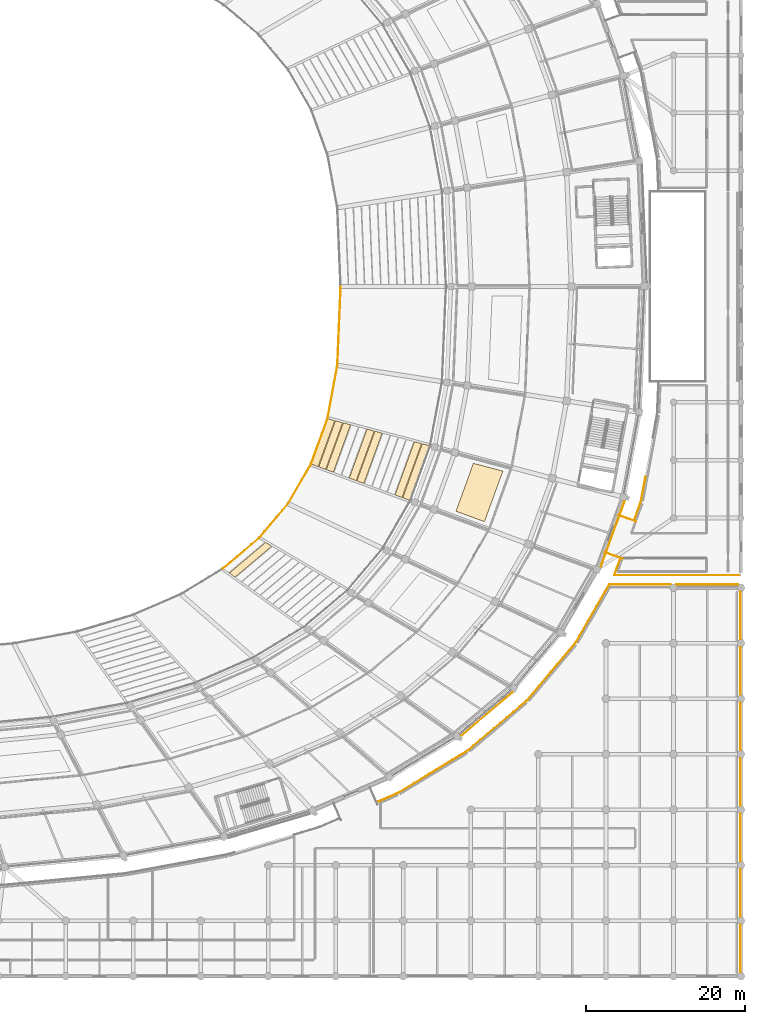
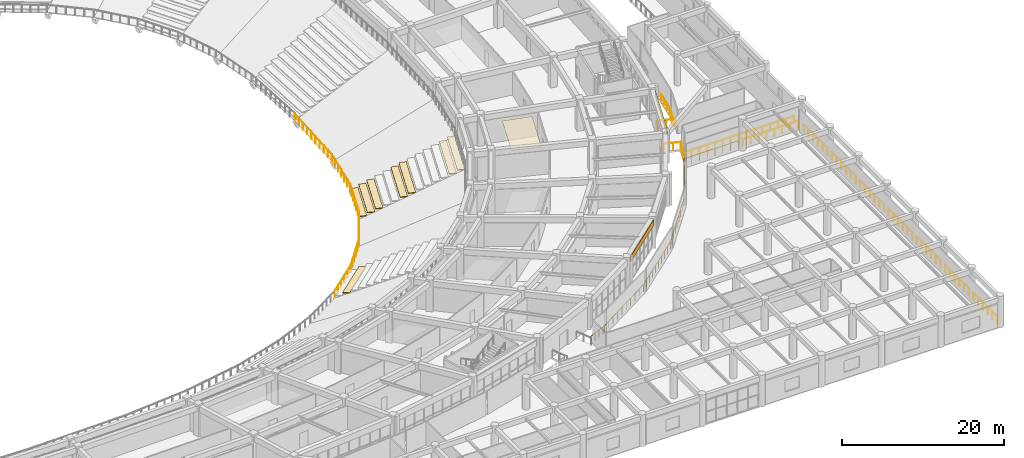
# One storey, part 136 of 152: 15 railings, 11 coverings.
"""IFC4 building model written with IfcOpenShell, lengths in metres."""

from ifc_helpers import new_model, si_unit, direction, frame, origin, origin_2d, place, context, subcontext, project, spatial, polyline, rectangle, circle, outline, extrude, material, layer, layer_set, type_object, element, save


model = new_model("IFC4")

# Units and contexts
model_context = context("Model", 3, precision=1e-05, world=origin(), true_north=direction((0.0, 1.0)))
body_context = subcontext(model_context, "Body", "Model", "MODEL_VIEW")
ifc_project = project(units=[si_unit("LENGTHUNIT", "METRE"), si_unit("AREAUNIT", "SQUARE_METRE"), si_unit("VOLUMEUNIT", "CUBIC_METRE"), si_unit("PLANEANGLEUNIT", "RADIAN"), si_unit("MASSUNIT", "GRAM", prefix="KILO")], contexts=[model_context])

# Site, building, storey
site_placement = place(None, origin())
site = spatial("IfcSite", under=ifc_project, at=site_placement, CompositionType="ELEMENT")
building_placement = place(site_placement, origin())
building = spatial("IfcBuilding", under=site, at=building_placement, Name="Mphavela Belvedere Stadium", CompositionType="ELEMENT")
storey_placement = place(building_placement, frame((0.0, 0.0, 5.39990234375)))
storey = spatial("IfcBuildingStorey", under=building, at=storey_placement, Name="L01", CompositionType="ELEMENT", Elevation=5.39990234375)

# Coverings
ifc_material_1 = material(Name="Perforated acoustic mineral ceiling tile")
ifc_layer_1 = layer(ifc_material_1, 0.0400390625)
ifc_layer_set_1 = layer_set([ifc_layer_1], Name="Perforated acoustic mineral ceiling tile")
covering_type_1 = type_object("IfcCoveringType", Name="COV-CEILING-ACOUSTIC", PredefinedType="CEILING", material=ifc_layer_set_1)
covering_1_placement = place(storey_placement, frame((0.0, 0.0, 3.5)))
element("IfcCovering", 1, at=covering_1_placement, inside=storey, type_object=covering_type_1, Name="Concourse acoustic ceiling L01-46", PredefinedType="CEILING", context=body_context, shape_type="SweptSolid", body=[
    extrude(outline(polyline([(194.041015625, 58.655029296875), (196.237060546875, 64.708251953125), (199.956298828125, 63.721923828125), (197.637451171875, 57.330078125), (194.041015625, 58.655029296875)])), origin(), (0.0, 0.0, 1.0), 0.0400390625),
])
ifc_material_2 = material(Name="Carved classical limestone entablature frieze cladding", Category="masonry")
ifc_layer_2 = layer(ifc_material_2, 0.06005859375)
ifc_layer_set_2 = layer_set([ifc_layer_2], Name="Carved classical limestone entablature frieze cladding")
covering_type_2 = type_object("IfcCoveringType", Name="COV-FRIEZE-CLAD", PredefinedType="CLADDING", material=ifc_layer_set_2)
covering_2_placement = place(storey_placement, frame((197.953369140625, 33.0712890625, 3.594970703125), z_axis=(0.0, 0.0, 1.0), x_axis=(0.764246456939, 0.644924300253, 0.0)))
element("IfcCovering", 2, at=covering_2_placement, inside=storey, type_object=covering_type_2, Name="Classical entablature frieze cladding L01-43", PredefinedType="CLADDING", context=body_context, shape_type="SweptSolid", body=[
    extrude(rectangle(XDim=8.4521484375, YDim=0.06005859375, at=origin_2d()), origin(), (0.0, 0.0, 1.0), 0.85009765625),
])
covering_3_placement = place(storey_placement, frame((213.811279296875, 55.7685546875, 3.594970703125), z_axis=(0.0, 0.0, 1.0), x_axis=(0.341035912161, 0.940050268133, 0.0)))
element("IfcCovering", 3, at=covering_3_placement, inside=storey, type_object=covering_type_2, Name="Classical entablature frieze cladding L01-46", PredefinedType="CLADDING", context=body_context, shape_type="SweptSolid", body=[
    extrude(rectangle(XDim=8.75537109375, YDim=0.06005859375, at=origin_2d()), origin(), (0.0, 0.0, 1.0), 0.85009765625),
])
ifc_material_3 = material(Name="Precast seating row terrazzo finish", Category="concrete")
ifc_layer_3 = layer(ifc_material_3, 0.1201171875)
ifc_layer_set_3 = layer_set([ifc_layer_3], Name="Precast seating row terrazzo finish")
covering_type_3 = type_object("IfcCoveringType", Name="COV-SEAT-ROW-L", PredefinedType="FLOORING", material=ifc_layer_set_3)
covering_4_placement = place(storey_placement, frame((0.0, 0.0, -3.296875)))
element("IfcCovering", 4, at=covering_4_placement, inside=storey, type_object=covering_type_3, Name="Lower stand seating row bench B43-R02", PredefinedType="FLOORING", context=body_context, shape_type="SweptSolid", body=[
    extrude(outline(polyline([(165.44580078125, 50.855712890625), (170.0234375, 54.718505859375), (170.81298828125, 54.255126953125), (166.169921875, 50.337158203125), (165.44580078125, 50.855712890625)])), origin(), (0.0, 0.0, 1.0), 0.1201171875),
])
covering_5_placement = place(storey_placement, frame((0.0, 0.0, -3.75830078125)))
element("IfcCovering", 5, at=covering_5_placement, inside=storey, type_object=covering_type_3, Name="Lower stand seating row bench B46-R01", PredefinedType="FLOORING", context=body_context, shape_type="SweptSolid", body=[
    extrude(outline(polyline([(175.763427734375, 64.614501953125), (177.839111328125, 70.335693359375), (178.75537109375, 70.0927734375), (176.6494140625, 64.2880859375), (175.763427734375, 64.614501953125)])), origin(), (0.0, 0.0, 1.0), 0.119873046875),
])
covering_6_placement = place(storey_placement, frame((0.0, 0.0, -3.296875)))
element("IfcCovering", 6, at=covering_6_placement, inside=storey, type_object=covering_type_3, Name="Lower stand seating row bench B46-R02", PredefinedType="FLOORING", context=body_context, shape_type="SweptSolid", body=[
    extrude(outline(polyline([(176.726318359375, 64.259765625), (178.8349609375, 70.07177734375), (179.751220703125, 69.828857421875), (177.6123046875, 63.933349609375), (176.726318359375, 64.259765625)])), origin(), (0.0, 0.0, 1.0), 0.1201171875),
])
covering_7_placement = place(storey_placement, frame((0.0, 0.0, -2.835205078125)))
element("IfcCovering", 7, at=covering_7_placement, inside=storey, type_object=covering_type_3, Name="Lower stand seating row bench B46-R03", PredefinedType="FLOORING", context=body_context, shape_type="SweptSolid", body=[
    extrude(outline(polyline([(177.689453125, 63.90478515625), (179.830810546875, 69.8076171875), (180.7470703125, 69.564697265625), (178.5751953125, 63.57861328125), (177.689453125, 63.90478515625)])), origin(), (0.0, 0.0, 1.0), 0.119873046875),
])
covering_8_placement = place(storey_placement, frame((0.0, 0.0, -1.45068359375)))
element("IfcCovering", 8, at=covering_8_placement, inside=storey, type_object=covering_type_3, Name="Lower stand seating row bench B46-R06", PredefinedType="FLOORING", context=body_context, shape_type="SweptSolid", body=[
    extrude(outline(polyline([(180.578125, 62.8408203125), (182.818359375, 69.015380859375), (183.734619140625, 68.7724609375), (181.464111328125, 62.514404296875), (180.578125, 62.8408203125)])), origin(), (0.0, 0.0, 1.0), 0.119873046875),
])
covering_9_placement = place(storey_placement, frame((0.0, 0.0, -0.989013671875)))
element("IfcCovering", 9, at=covering_9_placement, inside=storey, type_object=covering_type_3, Name="Lower stand seating row bench B46-R07", PredefinedType="FLOORING", context=body_context, shape_type="SweptSolid", body=[
    extrude(outline(polyline([(181.541015625, 62.48583984375), (183.814208984375, 68.751220703125), (184.730224609375, 68.50830078125), (182.427001953125, 62.159423828125), (181.541015625, 62.48583984375)])), origin(), (0.0, 0.0, 1.0), 0.119873046875),
])
covering_10_placement = place(storey_placement, frame((0.0, 0.0, 1.318603515625)))
element("IfcCovering", 10, at=covering_10_placement, inside=storey, type_object=covering_type_3, Name="Lower stand seating row bench B46-R12", PredefinedType="FLOORING", context=body_context, shape_type="SweptSolid", body=[
    extrude(outline(polyline([(186.355712890625, 60.712158203125), (188.793212890625, 67.430908203125), (189.70947265625, 67.18798828125), (187.24169921875, 60.3857421875), (186.355712890625, 60.712158203125)])), origin(), (0.0, 0.0, 1.0), 0.119873046875),
])
covering_11_placement = place(storey_placement, frame((0.0, 0.0, 1.780029296875)))
element("IfcCovering", 11, at=covering_11_placement, inside=storey, type_object=covering_type_3, Name="Lower stand seating row bench B46-R13", PredefinedType="FLOORING", context=body_context, shape_type="SweptSolid", body=[
    extrude(outline(polyline([(187.318603515625, 60.357421875), (189.7890625, 67.166748046875), (190.705322265625, 66.923828125), (188.20458984375, 60.031005859375), (187.318603515625, 60.357421875)])), origin(), (0.0, 0.0, 1.0), 0.1201171875),
])

# Railings
ifc_material_4 = material(Name="Bronze and laminated glass stadium balustrade", Category="glass")
railing_type = type_object("IfcRailingType", Name="RAL-BALUSTRADE-1120", PredefinedType="BALUSTRADE", material=ifc_material_4)
railing_1_placement = place(storey_placement, frame((212.845703125, 53.459228515625, 0.0)))
element("IfcRailing", 12, at=railing_1_placement, inside=storey, type_object=railing_type, Name="Colonnade link bridge balustrade L01-46A", PredefinedType="BALUSTRADE", context=body_context, shape_type="SweptSolid", body=[
    extrude(circle(Radius=0.02392578125, at=origin_2d()), frame((0.0, 0.0, 1.09619140625), z_axis=(0.940044916205, -0.341050664151, 0.0), x_axis=(0.341050664151, 0.940044916205, 0.0)), (0.0, 0.0, 1.0), 2.35009765625),
    extrude(circle(Radius=0.02099609375, at=origin_2d()), origin(), (0.0, 0.0, 1.0), 1.072021484375),
    extrude(circle(Radius=0.02099609375, at=origin_2d()), frame((1.1044921875, -0.40087890625, 0.0)), (0.0, 0.0, 1.0), 1.072021484375),
    extrude(circle(Radius=0.02099609375, at=origin_2d()), frame((2.209228515625, -0.801513671875, 0.0)), (0.0, 0.0, 1.0), 1.072021484375),
])
railing_2_placement = place(storey_placement, frame((214.55078125, 58.159423828125, 0.0)))
element("IfcRailing", 13, at=railing_2_placement, inside=storey, type_object=railing_type, Name="Colonnade link bridge balustrade L01-46B", PredefinedType="BALUSTRADE", context=body_context, shape_type="SweptSolid", body=[
    extrude(circle(Radius=0.02392578125, at=origin_2d()), frame((0.0, 0.0, 1.09619140625), z_axis=(0.940078218368, -0.340958858734, 0.0), x_axis=(0.340958858734, 0.940078218368, 0.0)), (0.0, 0.0, 1.0), 2.35009765625),
    extrude(circle(Radius=0.02099609375, at=origin_2d()), origin(), (0.0, 0.0, 1.0), 1.072021484375),
    extrude(circle(Radius=0.02099609375, at=origin_2d()), frame((1.1044921875, -0.400634765625, 0.0)), (0.0, 0.0, 1.0), 1.072021484375),
    extrude(circle(Radius=0.02099609375, at=origin_2d()), frame((2.209228515625, -0.80126953125, 0.0)), (0.0, 0.0, 1.0), 1.072021484375),
])
railing_3_placement = place(storey_placement, frame((164.658935546875, 51.419677734375, -4.099853515625)))
element("IfcRailing", 14, at=railing_3_placement, inside=storey, type_object=railing_type, Name="Bowl safety balustrade t1_front S8", PredefinedType="BALUSTRADE", context=body_context, shape_type="SweptSolid", body=[
    extrude(circle(Radius=0.02392578125, at=origin_2d()), frame((0.0, 0.0, 1.09619140625), z_axis=(0.764252578724, 0.644917045762, 0.0), x_axis=(-0.644917045762, 0.764252578724, 0.0)), (0.0, 0.0, 1.0), 5.89599609375),
    extrude(circle(Radius=0.02392578125, at=origin_2d()), frame((4.506103515625, 3.802490234375, 1.09619140625), z_axis=(0.645177508065, 0.764032710744, 0.0), x_axis=(-0.764032710744, 0.645177508065, 0.0)), (0.0, 0.0, 1.0), 5.7412109375),
    extrude(circle(Radius=0.02392578125, at=origin_2d()), frame((8.210205078125, 8.18896484375, 1.09619140625), z_axis=(0.500538549493, 0.86571424874, 0.0), x_axis=(-0.86571424874, 0.500538549493, 0.0)), (0.0, 0.0, 1.0), 5.7822265625),
    extrude(circle(Radius=0.02392578125, at=origin_2d()), frame((11.1044921875, 13.19482421875, 1.09619140625), z_axis=(0.341053704054, 0.940043813315, 0.0), x_axis=(-0.940043813315, 0.341053704054, 0.0)), (0.0, 0.0, 1.0), 6.086181640625),
    extrude(circle(Radius=0.02392578125, at=origin_2d()), frame((13.18017578125, 18.916015625, 1.09619140625), z_axis=(0.182635082941, 0.983180769991, 0.0), x_axis=(-0.983180769991, 0.182635082941, 0.0)), (0.0, 0.0, 1.0), 6.8388671875),
    extrude(circle(Radius=0.02392578125, at=origin_2d()), frame((14.42919921875, 25.639892578125, 1.09619140625), z_axis=(0.041887754326, 0.99912232286, 0.0), x_axis=(-0.99912232286, 0.041887754326, 0.0)), (0.0, 0.0, 1.0), 9.94921875),
    extrude(circle(Radius=0.02099609375, at=origin_2d()), origin(), (0.0, 0.0, 1.0), 1.072021484375),
    extrude(circle(Radius=0.02099609375, at=origin_2d()), frame((0.901123046875, 0.760498046875, 0.0)), (0.0, 0.0, 1.0), 1.072021484375),
    extrude(circle(Radius=0.02099609375, at=origin_2d()), frame((1.802490234375, 1.52099609375, 0.0)), (0.0, 0.0, 1.0), 1.072021484375),
    extrude(circle(Radius=0.02099609375, at=origin_2d()), frame((2.70361328125, 2.281494140625, 0.0)), (0.0, 0.0, 1.0), 1.072021484375),
    extrude(circle(Radius=0.02099609375, at=origin_2d()), frame((3.60498046875, 3.0419921875, 0.0)), (0.0, 0.0, 1.0), 1.072021484375),
    extrude(circle(Radius=0.02099609375, at=origin_2d()), frame((4.506103515625, 3.802490234375, 0.0)), (0.0, 0.0, 1.0), 1.072021484375),
    extrude(circle(Radius=0.02099609375, at=origin_2d()), frame((5.246826171875, 4.6796875, 0.0)), (0.0, 0.0, 1.0), 1.072021484375),
    extrude(circle(Radius=0.02099609375, at=origin_2d()), frame((5.98779296875, 5.55712890625, 0.0)), (0.0, 0.0, 1.0), 1.072021484375),
    extrude(circle(Radius=0.02099609375, at=origin_2d()), frame((6.728515625, 6.434326171875, 0.0)), (0.0, 0.0, 1.0), 1.072021484375),
    extrude(circle(Radius=0.02099609375, at=origin_2d()), frame((7.469482421875, 7.311767578125, 0.0)), (0.0, 0.0, 1.0), 1.072021484375),
    extrude(circle(Radius=0.02099609375, at=origin_2d()), frame((8.210205078125, 8.18896484375, 0.0)), (0.0, 0.0, 1.0), 1.072021484375),
    extrude(circle(Radius=0.02099609375, at=origin_2d()), frame((8.7890625, 9.190185546875, 0.0)), (0.0, 0.0, 1.0), 1.072021484375),
    extrude(circle(Radius=0.02099609375, at=origin_2d()), frame((9.367919921875, 10.19140625, 0.0)), (0.0, 0.0, 1.0), 1.072021484375),
    extrude(circle(Radius=0.02099609375, at=origin_2d()), frame((9.94677734375, 11.1923828125, 0.0)), (0.0, 0.0, 1.0), 1.072021484375),
    extrude(circle(Radius=0.02099609375, at=origin_2d()), frame((10.525634765625, 12.193603515625, 0.0)), (0.0, 0.0, 1.0), 1.072021484375),
    extrude(circle(Radius=0.02099609375, at=origin_2d()), frame((11.1044921875, 13.19482421875, 0.0)), (0.0, 0.0, 1.0), 1.072021484375),
    extrude(circle(Radius=0.02099609375, at=origin_2d()), frame((11.450439453125, 14.1484375, 0.0)), (0.0, 0.0, 1.0), 1.072021484375),
    extrude(circle(Radius=0.02099609375, at=origin_2d()), frame((11.79638671875, 15.101806640625, 0.0)), (0.0, 0.0, 1.0), 1.072021484375),
    extrude(circle(Radius=0.02099609375, at=origin_2d()), frame((12.142333984375, 16.055419921875, 0.0)), (0.0, 0.0, 1.0), 1.072021484375),
    extrude(circle(Radius=0.02099609375, at=origin_2d()), frame((12.48828125, 17.009033203125, 0.0)), (0.0, 0.0, 1.0), 1.072021484375),
    extrude(circle(Radius=0.02099609375, at=origin_2d()), frame((12.834228515625, 17.96240234375, 0.0)), (0.0, 0.0, 1.0), 1.072021484375),
    extrude(circle(Radius=0.02099609375, at=origin_2d()), frame((13.18017578125, 18.916015625, 0.0)), (0.0, 0.0, 1.0), 1.072021484375),
    extrude(circle(Radius=0.02099609375, at=origin_2d()), frame((13.388427734375, 20.03662109375, 0.0)), (0.0, 0.0, 1.0), 1.072021484375),
    extrude(circle(Radius=0.02099609375, at=origin_2d()), frame((13.596435546875, 21.1572265625, 0.0)), (0.0, 0.0, 1.0), 1.072021484375),
    extrude(circle(Radius=0.02099609375, at=origin_2d()), frame((13.8046875, 22.27783203125, 0.0)), (0.0, 0.0, 1.0), 1.072021484375),
    extrude(circle(Radius=0.02099609375, at=origin_2d()), frame((14.012939453125, 23.398681640625, 0.0)), (0.0, 0.0, 1.0), 1.072021484375),
    extrude(circle(Radius=0.02099609375, at=origin_2d()), frame((14.220947265625, 24.519287109375, 0.0)), (0.0, 0.0, 1.0), 1.072021484375),
    extrude(circle(Radius=0.02099609375, at=origin_2d()), frame((14.42919921875, 25.639892578125, 0.0)), (0.0, 0.0, 1.0), 1.072021484375),
    extrude(circle(Radius=0.02099609375, at=origin_2d()), frame((14.4755859375, 26.744384765625, 0.0)), (0.0, 0.0, 1.0), 1.072021484375),
    extrude(circle(Radius=0.02099609375, at=origin_2d()), frame((14.521728515625, 27.848876953125, 0.0)), (0.0, 0.0, 1.0), 1.072021484375),
    extrude(circle(Radius=0.02099609375, at=origin_2d()), frame((14.568115234375, 28.953369140625, 0.0)), (0.0, 0.0, 1.0), 1.072021484375),
    extrude(circle(Radius=0.02099609375, at=origin_2d()), frame((14.614501953125, 30.057861328125, 0.0)), (0.0, 0.0, 1.0), 1.072021484375),
    extrude(circle(Radius=0.02099609375, at=origin_2d()), frame((14.66064453125, 31.162353515625, 0.0)), (0.0, 0.0, 1.0), 1.072021484375),
    extrude(circle(Radius=0.02099609375, at=origin_2d()), frame((14.70703125, 32.266845703125, 0.0)), (0.0, 0.0, 1.0), 1.072021484375),
    extrude(circle(Radius=0.02099609375, at=origin_2d()), frame((14.75341796875, 33.371337890625, 0.0)), (0.0, 0.0, 1.0), 1.072021484375),
    extrude(circle(Radius=0.02099609375, at=origin_2d()), frame((14.799560546875, 34.475830078125, 0.0)), (0.0, 0.0, 1.0), 1.072021484375),
    extrude(circle(Radius=0.02099609375, at=origin_2d()), frame((14.845947265625, 35.580322265625, 0.0)), (0.0, 0.0, 1.0), 1.072021484375),
])
railing_4_placement = place(storey_placement, frame((184.2744140625, 22.03759765625, 0.0)))
element("IfcRailing", 15, at=railing_4_placement, inside=storey, type_object=railing_type, Name="Peristyle wing gallery edge balustrade L01-07", PredefinedType="BALUSTRADE", context=body_context, shape_type="SweptSolid", body=[
    extrude(circle(Radius=0.02392578125, at=origin_2d()), frame((0.0, 0.0, 1.09619140625), z_axis=(0.917490104343, 0.397758605731, 0.0), x_axis=(-0.397758605731, 0.917490104343, 0.0)), (0.0, 0.0, 1.0), 2.5380859375),
    extrude(circle(Radius=0.02392578125, at=origin_2d()), frame((2.32861328125, 1.009521484375, 1.09619140625), z_axis=(0.887624752967, 0.460567365236, 0.0), x_axis=(-0.460567365236, 0.887624752967, 0.0)), (0.0, 0.0, 1.0), 0.313232421875),
    extrude(circle(Radius=0.02392578125, at=origin_2d()), frame((2.606689453125, 1.15380859375, 1.09619140625), z_axis=(0.853987904956, 0.520292858099, 0.0), x_axis=(-0.520292858099, 0.853987904956, 0.0)), (0.0, 0.0, 1.0), 10.074462890625),
    extrude(circle(Radius=0.02392578125, at=origin_2d()), frame((11.210205078125, 6.3955078125, 1.09619140625), z_axis=(0.764212542959, 0.644964486761, 0.0), x_axis=(-0.644964486761, 0.764212542959, 0.0)), (0.0, 0.0, 1.0), 9.765869140625),
    extrude(circle(Radius=0.02392578125, at=origin_2d()), frame((18.67333984375, 12.694091796875, 1.09619140625), z_axis=(0.645159914066, 0.764047567421, 0.0), x_axis=(-0.764047567421, 0.645159914066, 0.0)), (0.0, 0.0, 1.0), 9.544921875),
    extrude(circle(Radius=0.02392578125, at=origin_2d()), frame((24.831298828125, 19.98681640625, 1.09619140625), z_axis=(0.501496666229, 0.86515957705, 0.0), x_axis=(-0.86515957705, 0.501496666229, 0.0)), (0.0, 0.0, 1.0), 8.548095703125),
    extrude(circle(Radius=0.02392578125, at=origin_2d()), frame((29.1181640625, 27.38232421875, 1.09619140625), z_axis=(1.0, 0.0, 0.0), x_axis=(0.0, 1.0, 0.0)), (0.0, 0.0, 1.0), 7.73388671875),
    extrude(circle(Radius=0.02099609375, at=origin_2d()), origin(), (0.0, 0.0, 1.0), 1.072021484375),
    extrude(circle(Radius=0.02099609375, at=origin_2d()), frame((0.776123046875, 0.33642578125, 0.0)), (0.0, 0.0, 1.0), 1.072021484375),
    extrude(circle(Radius=0.02099609375, at=origin_2d()), frame((1.552490234375, 0.673095703125, 0.0)), (0.0, 0.0, 1.0), 1.072021484375),
    extrude(circle(Radius=0.02099609375, at=origin_2d()), frame((2.32861328125, 1.009521484375, 0.0)), (0.0, 0.0, 1.0), 1.072021484375),
    extrude(circle(Radius=0.02099609375, at=origin_2d()), frame((2.606689453125, 1.15380859375, 0.0)), (0.0, 0.0, 1.0), 1.072021484375),
    extrude(circle(Radius=0.02099609375, at=origin_2d()), frame((3.562744140625, 1.736328125, 0.0)), (0.0, 0.0, 1.0), 1.072021484375),
    extrude(circle(Radius=0.02099609375, at=origin_2d()), frame((4.5185546875, 2.318603515625, 0.0)), (0.0, 0.0, 1.0), 1.072021484375),
    extrude(circle(Radius=0.02099609375, at=origin_2d()), frame((5.474609375, 2.901123046875, 0.0)), (0.0, 0.0, 1.0), 1.072021484375),
    extrude(circle(Radius=0.02099609375, at=origin_2d()), frame((6.430419921875, 3.4833984375, 0.0)), (0.0, 0.0, 1.0), 1.072021484375),
    extrude(circle(Radius=0.02099609375, at=origin_2d()), frame((7.386474609375, 4.06591796875, 0.0)), (0.0, 0.0, 1.0), 1.072021484375),
    extrude(circle(Radius=0.02099609375, at=origin_2d()), frame((8.34228515625, 4.648193359375, 0.0)), (0.0, 0.0, 1.0), 1.072021484375),
    extrude(circle(Radius=0.02099609375, at=origin_2d()), frame((9.29833984375, 5.230712890625, 0.0)), (0.0, 0.0, 1.0), 1.072021484375),
    extrude(circle(Radius=0.02099609375, at=origin_2d()), frame((10.254150390625, 5.81298828125, 0.0)), (0.0, 0.0, 1.0), 1.072021484375),
    extrude(circle(Radius=0.02099609375, at=origin_2d()), frame((11.210205078125, 6.3955078125, 0.0)), (0.0, 0.0, 1.0), 1.072021484375),
    extrude(circle(Radius=0.02099609375, at=origin_2d()), frame((12.03955078125, 7.095458984375, 0.0)), (0.0, 0.0, 1.0), 1.072021484375),
    extrude(circle(Radius=0.02099609375, at=origin_2d()), frame((12.86865234375, 7.795166015625, 0.0)), (0.0, 0.0, 1.0), 1.072021484375),
    extrude(circle(Radius=0.02099609375, at=origin_2d()), frame((13.697998046875, 8.4951171875, 0.0)), (0.0, 0.0, 1.0), 1.072021484375),
    extrude(circle(Radius=0.02099609375, at=origin_2d()), frame((14.527099609375, 9.19482421875, 0.0)), (0.0, 0.0, 1.0), 1.072021484375),
    extrude(circle(Radius=0.02099609375, at=origin_2d()), frame((15.3564453125, 9.894775390625, 0.0)), (0.0, 0.0, 1.0), 1.072021484375),
    extrude(circle(Radius=0.02099609375, at=origin_2d()), frame((16.185546875, 10.594482421875, 0.0)), (0.0, 0.0, 1.0), 1.072021484375),
    extrude(circle(Radius=0.02099609375, at=origin_2d()), frame((17.014892578125, 11.29443359375, 0.0)), (0.0, 0.0, 1.0), 1.072021484375),
    extrude(circle(Radius=0.02099609375, at=origin_2d()), frame((17.843994140625, 11.994140625, 0.0)), (0.0, 0.0, 1.0), 1.072021484375),
    extrude(circle(Radius=0.02099609375, at=origin_2d()), frame((18.67333984375, 12.694091796875, 0.0)), (0.0, 0.0, 1.0), 1.072021484375),
    extrude(circle(Radius=0.02099609375, at=origin_2d()), frame((19.443115234375, 13.605712890625, 0.0)), (0.0, 0.0, 1.0), 1.072021484375),
    extrude(circle(Radius=0.02099609375, at=origin_2d()), frame((20.212890625, 14.517333984375, 0.0)), (0.0, 0.0, 1.0), 1.072021484375),
    extrude(circle(Radius=0.02099609375, at=origin_2d()), frame((20.982666015625, 15.428955078125, 0.0)), (0.0, 0.0, 1.0), 1.072021484375),
    extrude(circle(Radius=0.02099609375, at=origin_2d()), frame((21.75244140625, 16.34033203125, 0.0)), (0.0, 0.0, 1.0), 1.072021484375),
    extrude(circle(Radius=0.02099609375, at=origin_2d()), frame((22.52197265625, 17.251953125, 0.0)), (0.0, 0.0, 1.0), 1.072021484375),
    extrude(circle(Radius=0.02099609375, at=origin_2d()), frame((23.291748046875, 18.16357421875, 0.0)), (0.0, 0.0, 1.0), 1.072021484375),
    extrude(circle(Radius=0.02099609375, at=origin_2d()), frame((24.0615234375, 19.0751953125, 0.0)), (0.0, 0.0, 1.0), 1.072021484375),
    extrude(circle(Radius=0.02099609375, at=origin_2d()), frame((24.831298828125, 19.98681640625, 0.0)), (0.0, 0.0, 1.0), 1.072021484375),
    extrude(circle(Radius=0.02099609375, at=origin_2d()), frame((25.3671875, 20.9111328125, 0.0)), (0.0, 0.0, 1.0), 1.072021484375),
    extrude(circle(Radius=0.02099609375, at=origin_2d()), frame((25.903076171875, 21.835693359375, 0.0)), (0.0, 0.0, 1.0), 1.072021484375),
    extrude(circle(Radius=0.02099609375, at=origin_2d()), frame((26.43896484375, 22.76025390625, 0.0)), (0.0, 0.0, 1.0), 1.072021484375),
    extrude(circle(Radius=0.02099609375, at=origin_2d()), frame((26.974609375, 23.6845703125, 0.0)), (0.0, 0.0, 1.0), 1.072021484375),
    extrude(circle(Radius=0.02099609375, at=origin_2d()), frame((27.510498046875, 24.60888671875, 0.0)), (0.0, 0.0, 1.0), 1.072021484375),
    extrude(circle(Radius=0.02099609375, at=origin_2d()), frame((28.04638671875, 25.533447265625, 0.0)), (0.0, 0.0, 1.0), 1.072021484375),
    extrude(circle(Radius=0.02099609375, at=origin_2d()), frame((28.582275390625, 26.4580078125, 0.0)), (0.0, 0.0, 1.0), 1.072021484375),
    extrude(circle(Radius=0.02099609375, at=origin_2d()), frame((29.1181640625, 27.38232421875, 0.0)), (0.0, 0.0, 1.0), 1.072021484375),
    extrude(circle(Radius=0.02099609375, at=origin_2d()), frame((30.222900390625, 27.38232421875, 0.0)), (0.0, 0.0, 1.0), 1.072021484375),
    extrude(circle(Radius=0.02099609375, at=origin_2d()), frame((31.327880859375, 27.38232421875, 0.0)), (0.0, 0.0, 1.0), 1.072021484375),
    extrude(circle(Radius=0.02099609375, at=origin_2d()), frame((32.4326171875, 27.38232421875, 0.0)), (0.0, 0.0, 1.0), 1.072021484375),
    extrude(circle(Radius=0.02099609375, at=origin_2d()), frame((33.53759765625, 27.38232421875, 0.0)), (0.0, 0.0, 1.0), 1.072021484375),
    extrude(circle(Radius=0.02099609375, at=origin_2d()), frame((34.642333984375, 27.38232421875, 0.0)), (0.0, 0.0, 1.0), 1.072021484375),
    extrude(circle(Radius=0.02099609375, at=origin_2d()), frame((35.747314453125, 27.38232421875, 0.0)), (0.0, 0.0, 1.0), 1.072021484375),
    extrude(circle(Radius=0.02099609375, at=origin_2d()), frame((36.85205078125, 27.38232421875, 0.0)), (0.0, 0.0, 1.0), 1.072021484375),
])
railing_5_placement = place(storey_placement, frame((221.835693359375, 49.419921875, 0.0)))
element("IfcRailing", 16, at=railing_5_placement, inside=storey, type_object=railing_type, Name="Peristyle wing gallery edge balustrade L01-08", PredefinedType="BALUSTRADE", context=body_context, shape_type="SweptSolid", body=[
    extrude(circle(Radius=0.02392578125, at=origin_2d()), frame((0.0, 0.0, 1.09619140625), z_axis=(1.0, 0.0, 0.0), x_axis=(0.0, 1.0, 0.0)), (0.0, 0.0, 1.0), 7.809814453125),
    extrude(circle(Radius=0.02099609375, at=origin_2d()), origin(), (0.0, 0.0, 1.0), 1.072021484375),
    extrude(circle(Radius=0.02099609375, at=origin_2d()), frame((1.11572265625, 0.0, 0.0)), (0.0, 0.0, 1.0), 1.072021484375),
    extrude(circle(Radius=0.02099609375, at=origin_2d()), frame((2.2314453125, 0.0, 0.0)), (0.0, 0.0, 1.0), 1.072021484375),
    extrude(circle(Radius=0.02099609375, at=origin_2d()), frame((3.34716796875, 0.0, 0.0)), (0.0, 0.0, 1.0), 1.072021484375),
    extrude(circle(Radius=0.02099609375, at=origin_2d()), frame((4.462646484375, 0.0, 0.0)), (0.0, 0.0, 1.0), 1.072021484375),
    extrude(circle(Radius=0.02099609375, at=origin_2d()), frame((5.578369140625, 0.0, 0.0)), (0.0, 0.0, 1.0), 1.072021484375),
    extrude(circle(Radius=0.02099609375, at=origin_2d()), frame((6.694091796875, 0.0, 0.0)), (0.0, 0.0, 1.0), 1.072021484375),
    extrude(circle(Radius=0.02099609375, at=origin_2d()), frame((7.809814453125, 0.0, 0.0)), (0.0, 0.0, 1.0), 1.072021484375),
])
for number, where, name in (
    (17, (229.919921875, 48.45654296875, 0.0), "Peristyle wing gallery edge balustrade L01-09"),
    (18, (229.919921875, 41.45654296875, 0.0), "Peristyle wing gallery edge balustrade L01-10"),
    (19, (229.919921875, 34.45654296875, 0.0), "Peristyle wing gallery edge balustrade L01-11"),
    (20, (229.919921875, 27.45654296875, 0.0), "Peristyle wing gallery edge balustrade L01-12"),
    (21, (229.919921875, 20.45654296875, 0.0), "Peristyle wing gallery edge balustrade L01-13"),
    (22, (229.919921875, 13.45654296875, 0.0), "Peristyle wing gallery edge balustrade L01-14"),
    (23, (229.919921875, 6.45654296875, 0.0), "Peristyle wing gallery edge balustrade L01-15"),
):
    element("IfcRailing", number, at=place(storey_placement, frame(where)), inside=storey, type_object=railing_type, Name=name, PredefinedType="BALUSTRADE", context=body_context, shape_type="SweptSolid", body=[
        extrude(circle(Radius=0.02392578125, at=origin_2d()), frame((0.0, 0.0, 1.09619140625), z_axis=(0.0, -1.0, 0.0), x_axis=(1.0, 0.0, 0.0)), (0.0, 0.0, 1.0), 5.9130859375),
        extrude(circle(Radius=0.02099609375, at=origin_2d()), origin(), (0.0, 0.0, 1.0), 1.072021484375),
        extrude(circle(Radius=0.02099609375, at=origin_2d()), frame((0.0, -1.1826171875, 0.0)), (0.0, 0.0, 1.0), 1.072021484375),
        extrude(circle(Radius=0.02099609375, at=origin_2d()), frame((0.0, -2.365234375, 0.0)), (0.0, 0.0, 1.0), 1.072021484375),
        extrude(circle(Radius=0.02099609375, at=origin_2d()), frame((0.0, -3.5478515625, 0.0)), (0.0, 0.0, 1.0), 1.072021484375),
        extrude(circle(Radius=0.02099609375, at=origin_2d()), frame((0.0, -4.73046875, 0.0)), (0.0, 0.0, 1.0), 1.072021484375),
        extrude(circle(Radius=0.02099609375, at=origin_2d()), frame((0.0, -5.9130859375, 0.0)), (0.0, 0.0, 1.0), 1.072021484375),
    ])
railing_6_placement = place(storey_placement, frame((217.363525390625, 59.835205078125, 0.0)))
element("IfcRailing", 24, at=railing_6_placement, inside=storey, type_object=railing_type, Name="Peristyle wing gallery edge balustrade L01-60", PredefinedType="BALUSTRADE", context=body_context, shape_type="SweptSolid", body=[
    extrude(circle(Radius=0.02392578125, at=origin_2d()), frame((0.0, 0.0, 1.09619140625), z_axis=(0.18508304696, 0.982722883486, 0.0), x_axis=(-0.982722883486, 0.18508304696, 0.0)), (0.0, 0.0, 1.0), 3.19091796875),
    extrude(circle(Radius=0.02099609375, at=origin_2d()), origin(), (0.0, 0.0, 1.0), 1.072021484375),
    extrude(circle(Radius=0.02099609375, at=origin_2d()), frame((0.19677734375, 1.045166015625, 0.0)), (0.0, 0.0, 1.0), 1.072021484375),
    extrude(circle(Radius=0.02099609375, at=origin_2d()), frame((0.393798828125, 2.090576171875, 0.0)), (0.0, 0.0, 1.0), 1.072021484375),
    extrude(circle(Radius=0.02099609375, at=origin_2d()), frame((0.590576171875, 3.1357421875, 0.0)), (0.0, 0.0, 1.0), 1.072021484375),
])
railing_7_placement = place(storey_placement, frame((229.7666015625, 50.580078125, 0.0)))
element("IfcRailing", 25, at=railing_7_placement, inside=storey, type_object=railing_type, Name="Peristyle wing gallery edge balustrade L01-64", PredefinedType="BALUSTRADE", context=body_context, shape_type="SweptSolid", body=[
    extrude(circle(Radius=0.02392578125, at=origin_2d()), frame((0.0, 0.0, 1.09619140625), z_axis=(-1.0, 0.0, 0.0), x_axis=(0.0, -1.0, 0.0)), (0.0, 0.0, 1.0), 15.756103515625),
    extrude(circle(Radius=0.02392578125, at=origin_2d()), frame((-15.756103515625, 0.0, 1.09619140625), z_axis=(0.342380499121, 0.939561383743, 0.0), x_axis=(-0.939561383743, 0.342380499121, 0.0)), (0.0, 0.0, 1.0), 2.029296875),
    extrude(circle(Radius=0.02099609375, at=origin_2d()), origin(), (0.0, 0.0, 1.0), 1.072021484375),
    extrude(circle(Radius=0.02099609375, at=origin_2d()), frame((-1.12548828125, 0.0, 0.0)), (0.0, 0.0, 1.0), 1.072021484375),
    extrude(circle(Radius=0.02099609375, at=origin_2d()), frame((-2.2509765625, 0.0, 0.0)), (0.0, 0.0, 1.0), 1.072021484375),
    extrude(circle(Radius=0.02099609375, at=origin_2d()), frame((-3.376220703125, 0.0, 0.0)), (0.0, 0.0, 1.0), 1.072021484375),
    extrude(circle(Radius=0.02099609375, at=origin_2d()), frame((-4.501708984375, 0.0, 0.0)), (0.0, 0.0, 1.0), 1.072021484375),
    extrude(circle(Radius=0.02099609375, at=origin_2d()), frame((-5.627197265625, 0.0, 0.0)), (0.0, 0.0, 1.0), 1.072021484375),
    extrude(circle(Radius=0.02099609375, at=origin_2d()), frame((-6.752685546875, 0.0, 0.0)), (0.0, 0.0, 1.0), 1.072021484375),
    extrude(circle(Radius=0.02099609375, at=origin_2d()), frame((-7.8779296875, 0.0, 0.0)), (0.0, 0.0, 1.0), 1.072021484375),
    extrude(circle(Radius=0.02099609375, at=origin_2d()), frame((-9.00341796875, 0.0, 0.0)), (0.0, 0.0, 1.0), 1.072021484375),
    extrude(circle(Radius=0.02099609375, at=origin_2d()), frame((-10.12890625, 0.0, 0.0)), (0.0, 0.0, 1.0), 1.072021484375),
    extrude(circle(Radius=0.02099609375, at=origin_2d()), frame((-11.25439453125, 0.0, 0.0)), (0.0, 0.0, 1.0), 1.072021484375),
    extrude(circle(Radius=0.02099609375, at=origin_2d()), frame((-12.3798828125, 0.0, 0.0)), (0.0, 0.0, 1.0), 1.072021484375),
    extrude(circle(Radius=0.02099609375, at=origin_2d()), frame((-13.505126953125, 0.0, 0.0)), (0.0, 0.0, 1.0), 1.072021484375),
    extrude(circle(Radius=0.02099609375, at=origin_2d()), frame((-14.630615234375, 0.0, 0.0)), (0.0, 0.0, 1.0), 1.072021484375),
    extrude(circle(Radius=0.02099609375, at=origin_2d()), frame((-15.756103515625, 0.0, 0.0)), (0.0, 0.0, 1.0), 1.072021484375),
    extrude(circle(Radius=0.02099609375, at=origin_2d()), frame((-15.40869140625, 0.953369140625, 0.0)), (0.0, 0.0, 1.0), 1.072021484375),
    extrude(circle(Radius=0.02099609375, at=origin_2d()), frame((-15.061279296875, 1.90673828125, 0.0)), (0.0, 0.0, 1.0), 1.072021484375),
])
railing_8_placement = place(storey_placement, frame((216.601806640625, 57.71337890625, 0.0)))
element("IfcRailing", 26, at=railing_8_placement, inside=storey, type_object=railing_type, Name="Peristyle wing gallery edge balustrade L01-65", PredefinedType="BALUSTRADE", context=body_context, shape_type="SweptSolid", body=[
    extrude(circle(Radius=0.02392578125, at=origin_2d()), frame((0.0, 0.0, 1.09619140625), z_axis=(0.337879512426, 0.941189372594, 0.0), x_axis=(-0.941189372594, 0.337879512426, 0.0)), (0.0, 0.0, 1.0), 2.25439453125),
    extrude(circle(Radius=0.02099609375, at=origin_2d()), origin(), (0.0, 0.0, 1.0), 1.072021484375),
    extrude(circle(Radius=0.02099609375, at=origin_2d()), frame((0.380859375, 1.06103515625, 0.0)), (0.0, 0.0, 1.0), 1.072021484375),
    extrude(circle(Radius=0.02099609375, at=origin_2d()), frame((0.76171875, 2.121826171875, 0.0)), (0.0, 0.0, 1.0), 1.072021484375),
])

save(model, "model.ifc")
